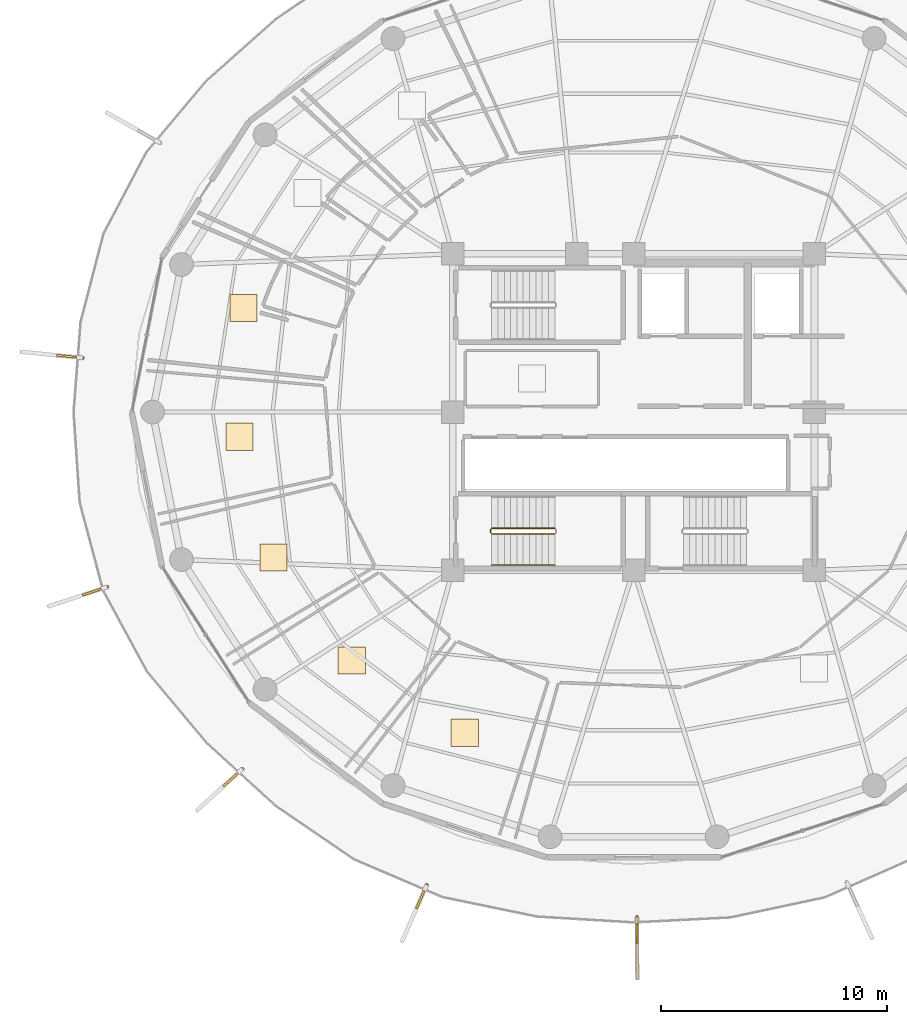
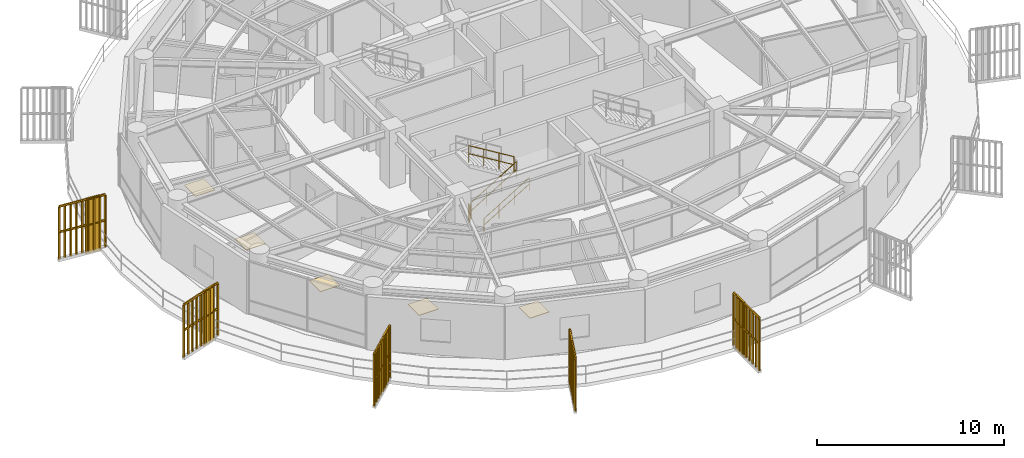
# One storey, part 28 of 31: 9 railings, 5 coverings, 5 shading devices.
"""IFC4 building model written with IfcOpenShell, lengths in metres."""

from ifc_helpers import new_model, si_unit, direction, frame, origin, origin_2d, place, context, subcontext, project, spatial, polyline, rectangle, outline, extrude, source, transform, mapped, material, layer, layer_set, type_object, element, save


model = new_model("IFC4")

# Units and contexts
model_context = context("Model", 3, precision=1e-05, world=origin(), true_north=direction((0.0, 1.0)))
body_context = subcontext(model_context, "Body", "Model", "MODEL_VIEW")
ifc_project = project(units=[si_unit("LENGTHUNIT", "METRE"), si_unit("AREAUNIT", "SQUARE_METRE"), si_unit("VOLUMEUNIT", "CUBIC_METRE"), si_unit("PLANEANGLEUNIT", "RADIAN"), si_unit("MASSUNIT", "GRAM", prefix="KILO")], contexts=[model_context])

# Site, building, storey
site_placement = place(None, origin())
site = spatial("IfcSite", under=ifc_project, at=site_placement, CompositionType="ELEMENT")
building_placement = place(site_placement, origin())
building = spatial("IfcBuilding", under=site, at=building_placement, Name="Kelanora Arch Commons", CompositionType="ELEMENT")
storey_placement = place(building_placement, frame((0.0, 0.0, 219.449951171875)))
storey = spatial("IfcBuildingStorey", under=building, at=storey_placement, Name="L56", CompositionType="ELEMENT", Elevation=219.449951171875)

# Railings
ifc_material_1 = material(Name="Anodised bronze vertical shading fin rib assembly")
railing_type_1 = type_object("IfcRailingType", Name="RAIL-FIN-BRZ", PredefinedType="BALUSTRADE", material=ifc_material_1)
railing_1_placement = place(storey_placement, frame((49.635009765625, 60.397705078125, -0.02001953125)))
element("IfcRailing", 1, at=railing_1_placement, inside=storey, type_object=railing_type_1, Name="Sweeping Bronze Vertical Fin Blade L56-09", PredefinedType="BALUSTRADE", context=body_context, shape_type="SweptSolid", body=[
    extrude(outline(polyline([(0.06982421875, 0.0), (0.034912109375, 0.060546875), (-0.034912109375, 0.060546875), (-0.06982421875, 0.0), (-0.034912109375, -0.060546875), (0.034912109375, -0.060546875), (0.06982421875, 0.0)])), frame((0.0, 0.0, 3.419921875), z_axis=(-0.995193813427, 0.097924837077, 0.0), x_axis=(-0.097924837077, -0.995193813427, 0.0)), (0.0, 0.0, 1.0), 2.7099609375),
    extrude(outline(polyline([(0.06982421875, 0.0), (0.034912109375, 0.060546875), (-0.034912109375, 0.060546875), (-0.06982421875, 0.0), (-0.034912109375, -0.060546875), (0.034912109375, -0.060546875), (0.06982421875, 0.0)])), frame((0.0, 0.0, 1.7451171875), z_axis=(-0.995193813427, 0.097924837077, 0.0), x_axis=(-0.097924837077, -0.995193813427, 0.0)), (0.0, 0.0, 1.0), 2.7099609375),
    extrude(outline(polyline([(0.080078125, 0.0), (0.0400390625, 0.0693359375), (-0.0400390625, 0.0693359375), (-0.080078125, 0.0), (-0.0400390625, -0.0693359375), (0.0400390625, -0.0693359375), (0.080078125, 0.0)])), origin(), (0.0, 0.0, 1.0), 3.35009765625),
    extrude(outline(polyline([(0.080078125, 0.0), (0.0400390625, 0.0693359375), (-0.0400390625, 0.0693359375), (-0.080078125, 0.0), (-0.0400390625, -0.0693359375), (0.0400390625, -0.0693359375), (0.080078125, 0.0)])), frame((-0.337158203125, 0.033203125, 0.0)), (0.0, 0.0, 1.0), 3.35009765625),
    extrude(outline(polyline([(0.080078125, 0.0), (0.0400390625, 0.0693359375), (-0.0400390625, 0.0693359375), (-0.080078125, 0.0), (-0.0400390625, -0.0693359375), (0.0400390625, -0.0693359375), (0.080078125, 0.0)])), frame((-0.67431640625, 0.06640625, 0.0)), (0.0, 0.0, 1.0), 3.35009765625),
    extrude(outline(polyline([(0.080078125, 0.0), (0.0400390625, 0.0693359375), (-0.0400390625, 0.0693359375), (-0.080078125, 0.0), (-0.0400390625, -0.0693359375), (0.0400390625, -0.0693359375), (0.080078125, 0.0)])), frame((-1.011474609375, 0.099609375, 0.0)), (0.0, 0.0, 1.0), 3.35009765625),
    extrude(outline(polyline([(0.080078125, 0.0), (0.0400390625, 0.0693359375), (-0.0400390625, 0.0693359375), (-0.080078125, 0.0), (-0.0400390625, -0.0693359375), (0.0400390625, -0.0693359375), (0.080078125, 0.0)])), frame((-1.3486328125, 0.1328125, 0.0)), (0.0, 0.0, 1.0), 3.35009765625),
    extrude(outline(polyline([(0.080078125, 0.0), (0.0400390625, 0.0693359375), (-0.0400390625, 0.0693359375), (-0.080078125, 0.0), (-0.0400390625, -0.0693359375), (0.0400390625, -0.0693359375), (0.080078125, 0.0)])), frame((-1.685546875, 0.165771484375, 0.0)), (0.0, 0.0, 1.0), 3.35009765625),
    extrude(outline(polyline([(0.080078125, 0.0), (0.0400390625, 0.0693359375), (-0.0400390625, 0.0693359375), (-0.080078125, 0.0), (-0.0400390625, -0.0693359375), (0.0400390625, -0.0693359375), (0.080078125, 0.0)])), frame((-2.022705078125, 0.198974609375, 0.0)), (0.0, 0.0, 1.0), 3.35009765625),
    extrude(outline(polyline([(0.080078125, 0.0), (0.0400390625, 0.0693359375), (-0.0400390625, 0.0693359375), (-0.080078125, 0.0), (-0.0400390625, -0.0693359375), (0.0400390625, -0.0693359375), (0.080078125, 0.0)])), frame((-2.35986328125, 0.232177734375, 0.0)), (0.0, 0.0, 1.0), 3.35009765625),
    extrude(outline(polyline([(0.080078125, 0.0), (0.0400390625, 0.0693359375), (-0.0400390625, 0.0693359375), (-0.080078125, 0.0), (-0.0400390625, -0.0693359375), (0.0400390625, -0.0693359375), (0.080078125, 0.0)])), frame((-2.697021484375, 0.265380859375, 0.0)), (0.0, 0.0, 1.0), 3.35009765625),
])
railing_2_placement = place(storey_placement, frame((50.72021484375, 50.264892578125, -0.02001953125)))
element("IfcRailing", 2, at=railing_2_placement, inside=storey, type_object=railing_type_1, Name="Sweeping Bronze Vertical Fin Blade L56-10", PredefinedType="BALUSTRADE", context=body_context, shape_type="SweptSolid", body=[
    extrude(outline(polyline([(0.06982421875, 0.0), (0.034912109375, 0.060546875), (-0.034912109375, 0.060546875), (-0.06982421875, 0.0), (-0.034912109375, -0.060546875), (0.034912109375, -0.060546875), (0.06982421875, 0.0)])), frame((0.0, 0.0, 3.419921875), z_axis=(-0.948980195241, -0.315335676763, 0.0), x_axis=(0.315335676763, -0.948980195241, 0.0)), (0.0, 0.0, 1.0), 2.709716796875),
    extrude(outline(polyline([(0.06982421875, 0.0), (0.034912109375, 0.060546875), (-0.034912109375, 0.060546875), (-0.06982421875, 0.0), (-0.034912109375, -0.060546875), (0.034912109375, -0.060546875), (0.06982421875, 0.0)])), frame((0.0, 0.0, 1.7451171875), z_axis=(-0.948980195241, -0.315335676763, 0.0), x_axis=(0.315335676763, -0.948980195241, 0.0)), (0.0, 0.0, 1.0), 2.709716796875),
    extrude(outline(polyline([(0.080078125, 0.0), (0.0400390625, 0.0693359375), (-0.0400390625, 0.0693359375), (-0.080078125, 0.0), (-0.0400390625, -0.0693359375), (0.0400390625, -0.0693359375), (0.080078125, 0.0)])), origin(), (0.0, 0.0, 1.0), 3.35009765625),
    extrude(outline(polyline([(0.080078125, 0.0), (0.0400390625, 0.0693359375), (-0.0400390625, 0.0693359375), (-0.080078125, 0.0), (-0.0400390625, -0.0693359375), (0.0400390625, -0.0693359375), (0.080078125, 0.0)])), frame((-0.321533203125, -0.10693359375, 0.0)), (0.0, 0.0, 1.0), 3.35009765625),
    extrude(outline(polyline([(0.080078125, 0.0), (0.0400390625, 0.0693359375), (-0.0400390625, 0.0693359375), (-0.080078125, 0.0), (-0.0400390625, -0.0693359375), (0.0400390625, -0.0693359375), (0.080078125, 0.0)])), frame((-0.642822265625, -0.213623046875, 0.0)), (0.0, 0.0, 1.0), 3.35009765625),
    extrude(outline(polyline([(0.080078125, 0.0), (0.0400390625, 0.0693359375), (-0.0400390625, 0.0693359375), (-0.080078125, 0.0), (-0.0400390625, -0.0693359375), (0.0400390625, -0.0693359375), (0.080078125, 0.0)])), frame((-0.96435546875, -0.3203125, 0.0)), (0.0, 0.0, 1.0), 3.35009765625),
    extrude(outline(polyline([(0.080078125, 0.0), (0.0400390625, 0.0693359375), (-0.0400390625, 0.0693359375), (-0.080078125, 0.0), (-0.0400390625, -0.0693359375), (0.0400390625, -0.0693359375), (0.080078125, 0.0)])), frame((-1.28564453125, -0.42724609375, 0.0)), (0.0, 0.0, 1.0), 3.35009765625),
    extrude(outline(polyline([(0.080078125, 0.0), (0.0400390625, 0.0693359375), (-0.0400390625, 0.0693359375), (-0.080078125, 0.0), (-0.0400390625, -0.0693359375), (0.0400390625, -0.0693359375), (0.080078125, 0.0)])), frame((-1.607177734375, -0.5341796875, 0.0)), (0.0, 0.0, 1.0), 3.35009765625),
    extrude(outline(polyline([(0.080078125, 0.0), (0.0400390625, 0.0693359375), (-0.0400390625, 0.0693359375), (-0.080078125, 0.0), (-0.0400390625, -0.0693359375), (0.0400390625, -0.0693359375), (0.080078125, 0.0)])), frame((-1.9287109375, -0.640869140625, 0.0)), (0.0, 0.0, 1.0), 3.35009765625),
    extrude(outline(polyline([(0.080078125, 0.0), (0.0400390625, 0.0693359375), (-0.0400390625, 0.0693359375), (-0.080078125, 0.0), (-0.0400390625, -0.0693359375), (0.0400390625, -0.0693359375), (0.080078125, 0.0)])), frame((-2.25, -0.74755859375, 0.0)), (0.0, 0.0, 1.0), 3.35009765625),
    extrude(outline(polyline([(0.080078125, 0.0), (0.0400390625, 0.0693359375), (-0.0400390625, 0.0693359375), (-0.080078125, 0.0), (-0.0400390625, -0.0693359375), (0.0400390625, -0.0693359375), (0.080078125, 0.0)])), frame((-2.571533203125, -0.8544921875, 0.0)), (0.0, 0.0, 1.0), 3.35009765625),
])
railing_3_placement = place(storey_placement, frame((56.702392578125, 42.21630859375, -0.02001953125)))
element("IfcRailing", 3, at=railing_3_placement, inside=storey, type_object=railing_type_1, Name="Sweeping Bronze Vertical Fin Blade L56-11", PredefinedType="BALUSTRADE", context=body_context, shape_type="SweptSolid", body=[
    extrude(outline(polyline([(0.06982421875, 0.0), (0.034912109375, 0.060546875), (-0.034912109375, 0.060546875), (-0.06982421875, 0.0), (-0.034912109375, -0.060546875), (0.034912109375, -0.060546875), (0.06982421875, 0.0)])), frame((0.0, 0.0, 3.419921875), z_axis=(-0.73866685925, -0.674070672144, 0.0), x_axis=(0.674070672144, -0.73866685925, 0.0)), (0.0, 0.0, 1.0), 2.7099609375),
    extrude(outline(polyline([(0.06982421875, 0.0), (0.034912109375, 0.060546875), (-0.034912109375, 0.060546875), (-0.06982421875, 0.0), (-0.034912109375, -0.060546875), (0.034912109375, -0.060546875), (0.06982421875, 0.0)])), frame((0.0, 0.0, 1.7451171875), z_axis=(-0.73866685925, -0.674070672144, 0.0), x_axis=(0.674070672144, -0.73866685925, 0.0)), (0.0, 0.0, 1.0), 2.7099609375),
    extrude(outline(polyline([(0.080078125, 0.0), (0.0400390625, 0.0693359375), (-0.0400390625, 0.0693359375), (-0.080078125, 0.0), (-0.0400390625, -0.0693359375), (0.0400390625, -0.0693359375), (0.080078125, 0.0)])), origin(), (0.0, 0.0, 1.0), 3.35009765625),
    extrude(outline(polyline([(0.080078125, 0.0), (0.0400390625, 0.0693359375), (-0.0400390625, 0.0693359375), (-0.080078125, 0.0), (-0.0400390625, -0.0693359375), (0.0400390625, -0.0693359375), (0.080078125, 0.0)])), frame((-0.250244140625, -0.228271484375, 0.0)), (0.0, 0.0, 1.0), 3.35009765625),
    extrude(outline(polyline([(0.080078125, 0.0), (0.0400390625, 0.0693359375), (-0.0400390625, 0.0693359375), (-0.080078125, 0.0), (-0.0400390625, -0.0693359375), (0.0400390625, -0.0693359375), (0.080078125, 0.0)])), frame((-0.50048828125, -0.45654296875, 0.0)), (0.0, 0.0, 1.0), 3.35009765625),
    extrude(outline(polyline([(0.080078125, 0.0), (0.0400390625, 0.0693359375), (-0.0400390625, 0.0693359375), (-0.080078125, 0.0), (-0.0400390625, -0.0693359375), (0.0400390625, -0.0693359375), (0.080078125, 0.0)])), frame((-0.750732421875, -0.68505859375, 0.0)), (0.0, 0.0, 1.0), 3.35009765625),
    extrude(outline(polyline([(0.080078125, 0.0), (0.0400390625, 0.0693359375), (-0.0400390625, 0.0693359375), (-0.080078125, 0.0), (-0.0400390625, -0.0693359375), (0.0400390625, -0.0693359375), (0.080078125, 0.0)])), frame((-1.0009765625, -0.913330078125, 0.0)), (0.0, 0.0, 1.0), 3.35009765625),
    extrude(outline(polyline([(0.080078125, 0.0), (0.0400390625, 0.0693359375), (-0.0400390625, 0.0693359375), (-0.080078125, 0.0), (-0.0400390625, -0.0693359375), (0.0400390625, -0.0693359375), (0.080078125, 0.0)])), frame((-1.2509765625, -1.1416015625, 0.0)), (0.0, 0.0, 1.0), 3.35009765625),
    extrude(outline(polyline([(0.080078125, 0.0), (0.0400390625, 0.0693359375), (-0.0400390625, 0.0693359375), (-0.080078125, 0.0), (-0.0400390625, -0.0693359375), (0.0400390625, -0.0693359375), (0.080078125, 0.0)])), frame((-1.501220703125, -1.3701171875, 0.0)), (0.0, 0.0, 1.0), 3.35009765625),
    extrude(outline(polyline([(0.080078125, 0.0), (0.0400390625, 0.0693359375), (-0.0400390625, 0.0693359375), (-0.080078125, 0.0), (-0.0400390625, -0.0693359375), (0.0400390625, -0.0693359375), (0.080078125, 0.0)])), frame((-1.75146484375, -1.598388671875, 0.0)), (0.0, 0.0, 1.0), 3.35009765625),
    extrude(outline(polyline([(0.080078125, 0.0), (0.0400390625, 0.0693359375), (-0.0400390625, 0.0693359375), (-0.080078125, 0.0), (-0.0400390625, -0.0693359375), (0.0400390625, -0.0693359375), (0.080078125, 0.0)])), frame((-2.001708984375, -1.82666015625, 0.0)), (0.0, 0.0, 1.0), 3.35009765625),
])
railing_4_placement = place(storey_placement, frame((64.852783203125, 37.082763671875, -0.02001953125)))
element("IfcRailing", 4, at=railing_4_placement, inside=storey, type_object=railing_type_1, Name="Sweeping Bronze Vertical Fin Blade L56-12", PredefinedType="BALUSTRADE", context=body_context, shape_type="SweptSolid", body=[
    extrude(outline(polyline([(0.06982421875, 0.0), (0.034912109375, 0.060546875), (-0.034912109375, 0.060546875), (-0.06982421875, 0.0), (-0.034912109375, -0.060546875), (0.034912109375, -0.060546875), (0.06982421875, 0.0)])), frame((0.0, 0.0, 3.419921875), z_axis=(-0.400639233037, -0.91623588936, 0.0), x_axis=(0.91623588936, -0.400639233037, 0.0)), (0.0, 0.0, 1.0), 2.7099609375),
    extrude(outline(polyline([(0.06982421875, 0.0), (0.034912109375, 0.060546875), (-0.034912109375, 0.060546875), (-0.06982421875, 0.0), (-0.034912109375, -0.060546875), (0.034912109375, -0.060546875), (0.06982421875, 0.0)])), frame((0.0, 0.0, 1.7451171875), z_axis=(-0.400639233037, -0.91623588936, 0.0), x_axis=(0.91623588936, -0.400639233037, 0.0)), (0.0, 0.0, 1.0), 2.7099609375),
    extrude(outline(polyline([(0.080078125, 0.0), (0.0400390625, 0.0693359375), (-0.0400390625, 0.0693359375), (-0.080078125, 0.0), (-0.0400390625, -0.0693359375), (0.0400390625, -0.0693359375), (0.080078125, 0.0)])), origin(), (0.0, 0.0, 1.0), 3.35009765625),
    extrude(outline(polyline([(0.080078125, 0.0), (0.0400390625, 0.0693359375), (-0.0400390625, 0.0693359375), (-0.080078125, 0.0), (-0.0400390625, -0.0693359375), (0.0400390625, -0.0693359375), (0.080078125, 0.0)])), frame((-0.1357421875, -0.310302734375, 0.0)), (0.0, 0.0, 1.0), 3.35009765625),
    extrude(outline(polyline([(0.080078125, 0.0), (0.0400390625, 0.0693359375), (-0.0400390625, 0.0693359375), (-0.080078125, 0.0), (-0.0400390625, -0.0693359375), (0.0400390625, -0.0693359375), (0.080078125, 0.0)])), frame((-0.271484375, -0.62060546875, 0.0)), (0.0, 0.0, 1.0), 3.35009765625),
    extrude(outline(polyline([(0.080078125, 0.0), (0.0400390625, 0.0693359375), (-0.0400390625, 0.0693359375), (-0.080078125, 0.0), (-0.0400390625, -0.0693359375), (0.0400390625, -0.0693359375), (0.080078125, 0.0)])), frame((-0.4072265625, -0.93115234375, 0.0)), (0.0, 0.0, 1.0), 3.35009765625),
    extrude(outline(polyline([(0.080078125, 0.0), (0.0400390625, 0.0693359375), (-0.0400390625, 0.0693359375), (-0.080078125, 0.0), (-0.0400390625, -0.0693359375), (0.0400390625, -0.0693359375), (0.080078125, 0.0)])), frame((-0.54296875, -1.241455078125, 0.0)), (0.0, 0.0, 1.0), 3.35009765625),
    extrude(outline(polyline([(0.080078125, 0.0), (0.0400390625, 0.0693359375), (-0.0400390625, 0.0693359375), (-0.080078125, 0.0), (-0.0400390625, -0.0693359375), (0.0400390625, -0.0693359375), (0.080078125, 0.0)])), frame((-0.678466796875, -1.5517578125, 0.0)), (0.0, 0.0, 1.0), 3.35009765625),
    extrude(outline(polyline([(0.080078125, 0.0), (0.0400390625, 0.0693359375), (-0.0400390625, 0.0693359375), (-0.080078125, 0.0), (-0.0400390625, -0.0693359375), (0.0400390625, -0.0693359375), (0.080078125, 0.0)])), frame((-0.814208984375, -1.8623046875, 0.0)), (0.0, 0.0, 1.0), 3.35009765625),
    extrude(outline(polyline([(0.080078125, 0.0), (0.0400390625, 0.0693359375), (-0.0400390625, 0.0693359375), (-0.080078125, 0.0), (-0.0400390625, -0.0693359375), (0.0400390625, -0.0693359375), (0.080078125, 0.0)])), frame((-0.949951171875, -2.172607421875, 0.0)), (0.0, 0.0, 1.0), 3.35009765625),
    extrude(outline(polyline([(0.080078125, 0.0), (0.0400390625, 0.0693359375), (-0.0400390625, 0.0693359375), (-0.080078125, 0.0), (-0.0400390625, -0.0693359375), (0.0400390625, -0.0693359375), (0.080078125, 0.0)])), frame((-1.085693359375, -2.48291015625, 0.0)), (0.0, 0.0, 1.0), 3.35009765625),
])
railing_5_placement = place(storey_placement, frame((74.148193359375, 35.655517578125, -0.02001953125)))
element("IfcRailing", 5, at=railing_5_placement, inside=storey, type_object=railing_type_1, Name="Sweeping Bronze Vertical Fin Blade L56-13", PredefinedType="BALUSTRADE", context=body_context, shape_type="SweptSolid", body=[
    extrude(outline(polyline([(0.06982421875, 0.0), (0.034912109375, 0.060546875), (-0.034912109375, 0.060546875), (-0.06982421875, 0.0), (-0.034912109375, -0.060546875), (0.034912109375, -0.060546875), (0.06982421875, 0.0)])), frame((0.0, 0.0, 3.419921875), z_axis=(0.006666518523, -0.999977778518, 0.0), x_axis=(0.999977778518, 0.006666518523, 0.0)), (0.0, 0.0, 1.0), 2.7099609375),
    extrude(outline(polyline([(0.06982421875, 0.0), (0.034912109375, 0.060546875), (-0.034912109375, 0.060546875), (-0.06982421875, 0.0), (-0.034912109375, -0.060546875), (0.034912109375, -0.060546875), (0.06982421875, 0.0)])), frame((0.0, 0.0, 1.7451171875), z_axis=(0.006666518523, -0.999977778518, 0.0), x_axis=(0.999977778518, 0.006666518523, 0.0)), (0.0, 0.0, 1.0), 2.7099609375),
    extrude(outline(polyline([(0.080078125, 0.0), (0.0400390625, 0.0693359375), (-0.0400390625, 0.0693359375), (-0.080078125, 0.0), (-0.0400390625, -0.0693359375), (0.0400390625, -0.0693359375), (0.080078125, 0.0)])), origin(), (0.0, 0.0, 1.0), 3.35009765625),
    extrude(outline(polyline([(0.080078125, 0.0), (0.0400390625, 0.0693359375), (-0.0400390625, 0.0693359375), (-0.080078125, 0.0), (-0.0400390625, -0.0693359375), (0.0400390625, -0.0693359375), (0.080078125, 0.0)])), frame((0.002197265625, -0.3388671875, 0.0)), (0.0, 0.0, 1.0), 3.35009765625),
    extrude(outline(polyline([(0.080078125, 0.0), (0.0400390625, 0.0693359375), (-0.0400390625, 0.0693359375), (-0.080078125, 0.0), (-0.0400390625, -0.0693359375), (0.0400390625, -0.0693359375), (0.080078125, 0.0)])), frame((0.00439453125, -0.677490234375, 0.0)), (0.0, 0.0, 1.0), 3.35009765625),
    extrude(outline(polyline([(0.080078125, 0.0), (0.0400390625, 0.0693359375), (-0.0400390625, 0.0693359375), (-0.080078125, 0.0), (-0.0400390625, -0.0693359375), (0.0400390625, -0.0693359375), (0.080078125, 0.0)])), frame((0.0068359375, -1.01611328125, 0.0)), (0.0, 0.0, 1.0), 3.35009765625),
    extrude(outline(polyline([(0.080078125, 0.0), (0.0400390625, 0.0693359375), (-0.0400390625, 0.0693359375), (-0.080078125, 0.0), (-0.0400390625, -0.0693359375), (0.0400390625, -0.0693359375), (0.080078125, 0.0)])), frame((0.009033203125, -1.35498046875, 0.0)), (0.0, 0.0, 1.0), 3.35009765625),
    extrude(outline(polyline([(0.080078125, 0.0), (0.0400390625, 0.0693359375), (-0.0400390625, 0.0693359375), (-0.080078125, 0.0), (-0.0400390625, -0.0693359375), (0.0400390625, -0.0693359375), (0.080078125, 0.0)])), frame((0.01123046875, -1.69384765625, 0.0)), (0.0, 0.0, 1.0), 3.35009765625),
    extrude(outline(polyline([(0.080078125, 0.0), (0.0400390625, 0.0693359375), (-0.0400390625, 0.0693359375), (-0.080078125, 0.0), (-0.0400390625, -0.0693359375), (0.0400390625, -0.0693359375), (0.080078125, 0.0)])), frame((0.013671875, -2.032470703125, 0.0)), (0.0, 0.0, 1.0), 3.35009765625),
    extrude(outline(polyline([(0.080078125, 0.0), (0.0400390625, 0.0693359375), (-0.0400390625, 0.0693359375), (-0.080078125, 0.0), (-0.0400390625, -0.0693359375), (0.0400390625, -0.0693359375), (0.080078125, 0.0)])), frame((0.015869140625, -2.37109375, 0.0)), (0.0, 0.0, 1.0), 3.35009765625),
    extrude(outline(polyline([(0.080078125, 0.0), (0.0400390625, 0.0693359375), (-0.0400390625, 0.0693359375), (-0.080078125, 0.0), (-0.0400390625, -0.0693359375), (0.0400390625, -0.0693359375), (0.080078125, 0.0)])), frame((0.01806640625, -2.7099609375, 0.0)), (0.0, 0.0, 1.0), 3.35009765625),
])
ifc_material_2 = material(Name="Painted steel stair well guard", Category="steel")
railing_type_2 = type_object("IfcRailingType", Name="RAIL-STAIR-GRD", PredefinedType="GUARDRAIL", material=ifc_material_2)
railing_6_placement = place(storey_placement, frame((67.719970703125, 52.610107421875, 0.17041015625)))
element("IfcRailing", 6, at=railing_6_placement, inside=storey, type_object=railing_type_2, Name="L56 ST-T3 stair guard 1", PredefinedType="GUARDRAIL", context=body_context, shape_type="SweptSolid", body=[
    extrude(outline(polyline([(0.02392578125, 0.0), (0.011962890625, 0.020751953125), (-0.011962890625, 0.020751953125), (-0.02392578125, 0.0), (-0.011962890625, -0.020751953125), (0.011962890625, -0.020751953125), (0.02392578125, 0.0)])), frame((0.0, 0.0, 1.076171875), z_axis=(0.854169791009, 0.0, 0.51999420009), x_axis=(0.0, 1.0, 0.0)), (0.0, 0.0, 1.0), 3.278076171875),
    extrude(outline(polyline([(0.02392578125, 0.0), (0.011962890625, 0.020751953125), (-0.011962890625, 0.020751953125), (-0.02392578125, 0.0), (-0.011962890625, -0.020751953125), (0.011962890625, -0.020751953125), (0.02392578125, 0.0)])), frame((0.0, 0.0, 0.550048828125), z_axis=(0.854169791009, 0.0, 0.51999420009), x_axis=(0.0, 1.0, 0.0)), (0.0, 0.0, 1.0), 3.278076171875),
    extrude(outline(polyline([(0.02099609375, 0.0), (0.010498046875, 0.01806640625), (-0.010498046875, 0.01806640625), (-0.02099609375, 0.0), (-0.010498046875, -0.01806640625), (0.010498046875, -0.01806640625), (0.02099609375, 0.0)])), origin(), (0.0, 0.0, 1.0), 1.052001953125),
    extrude(outline(polyline([(0.02099609375, 0.0), (0.010498046875, 0.01806640625), (-0.010498046875, 0.01806640625), (-0.02099609375, 0.0), (-0.010498046875, -0.01806640625), (0.010498046875, -0.01806640625), (0.02099609375, 0.0)])), frame((0.933349609375, 0.0, 0.568115234375)), (0.0, 0.0, 1.0), 1.052001953125),
    extrude(outline(polyline([(0.02099609375, 0.0), (0.010498046875, 0.01806640625), (-0.010498046875, 0.01806640625), (-0.02099609375, 0.0), (-0.010498046875, -0.01806640625), (0.010498046875, -0.01806640625), (0.02099609375, 0.0)])), frame((1.86669921875, 0.0, 1.136474609375)), (0.0, 0.0, 1.0), 1.052001953125),
    extrude(outline(polyline([(0.02099609375, 0.0), (0.010498046875, 0.01806640625), (-0.010498046875, 0.01806640625), (-0.02099609375, 0.0), (-0.010498046875, -0.01806640625), (0.010498046875, -0.01806640625), (0.02099609375, 0.0)])), frame((2.800048828125, 0.0, 1.70458984375)), (0.0, 0.0, 1.0), 1.052001953125),
])
railing_7_placement = place(storey_placement, frame((70.52001953125, 52.860107421875, 2.04541015625)))
element("IfcRailing", 7, at=railing_7_placement, inside=storey, type_object=railing_type_2, Name="L56 ST-T3 stair guard 3", PredefinedType="GUARDRAIL", context=body_context, shape_type="SweptSolid", body=[
    extrude(outline(polyline([(0.02392578125, 0.0), (0.011962890625, 0.020751953125), (-0.011962890625, 0.020751953125), (-0.02392578125, 0.0), (-0.011962890625, -0.020751953125), (0.011962890625, -0.020751953125), (0.02392578125, 0.0)])), frame((0.0, 0.0, 1.076171875), z_axis=(-0.854169791009, 0.0, 0.51999420009), x_axis=(0.0, -1.0, 0.0)), (0.0, 0.0, 1.0), 3.278076171875),
    extrude(outline(polyline([(0.02392578125, 0.0), (0.011962890625, 0.020751953125), (-0.011962890625, 0.020751953125), (-0.02392578125, 0.0), (-0.011962890625, -0.020751953125), (0.011962890625, -0.020751953125), (0.02392578125, 0.0)])), frame((0.0, 0.0, 0.550048828125), z_axis=(-0.854169791009, 0.0, 0.51999420009), x_axis=(0.0, -1.0, 0.0)), (0.0, 0.0, 1.0), 3.278076171875),
    extrude(outline(polyline([(0.02099609375, 0.0), (0.010498046875, 0.01806640625), (-0.010498046875, 0.01806640625), (-0.02099609375, 0.0), (-0.010498046875, -0.01806640625), (0.010498046875, -0.01806640625), (0.02099609375, 0.0)])), origin(), (0.0, 0.0, 1.0), 1.052001953125),
    extrude(outline(polyline([(0.02099609375, 0.0), (0.010498046875, 0.01806640625), (-0.010498046875, 0.01806640625), (-0.02099609375, 0.0), (-0.010498046875, -0.01806640625), (0.010498046875, -0.01806640625), (0.02099609375, 0.0)])), frame((-0.933349609375, 0.0, 0.568115234375)), (0.0, 0.0, 1.0), 1.052001953125),
    extrude(outline(polyline([(0.02099609375, 0.0), (0.010498046875, 0.01806640625), (-0.010498046875, 0.01806640625), (-0.02099609375, 0.0), (-0.010498046875, -0.01806640625), (0.010498046875, -0.01806640625), (0.02099609375, 0.0)])), frame((-1.86669921875, 0.0, 1.136474609375)), (0.0, 0.0, 1.0), 1.052001953125),
    extrude(outline(polyline([(0.02099609375, 0.0), (0.010498046875, 0.01806640625), (-0.010498046875, 0.01806640625), (-0.02099609375, 0.0), (-0.010498046875, -0.01806640625), (0.010498046875, -0.01806640625), (0.02099609375, 0.0)])), frame((-2.800048828125, 0.0, 1.70458984375)), (0.0, 0.0, 1.0), 1.052001953125),
])
railing_8_placement = place(storey_placement, frame((67.669921875, 52.659912109375, 0.0)))
element("IfcRailing", 8, at=railing_8_placement, inside=storey, type_object=railing_type_2, Name="L56 ST-T3 stair guard 4", PredefinedType="GUARDRAIL", context=body_context, shape_type="SweptSolid", body=[
    extrude(outline(polyline([(0.02392578125, 0.0), (0.011962890625, 0.020751953125), (-0.011962890625, 0.020751953125), (-0.02392578125, 0.0), (-0.011962890625, -0.020751953125), (0.011962890625, -0.020751953125), (0.02392578125, 0.0)])), frame((0.0, 0.0, 1.076171875), z_axis=(0.0, 1.0, 0.0), x_axis=(-1.0, 0.0, 0.0)), (0.0, 0.0, 1.0), 0.150146484375),
    extrude(outline(polyline([(0.02392578125, 0.0), (0.011962890625, 0.020751953125), (-0.011962890625, 0.020751953125), (-0.02392578125, 0.0), (-0.011962890625, -0.020751953125), (0.011962890625, -0.020751953125), (0.02392578125, 0.0)])), frame((0.0, 0.0, 0.550048828125), z_axis=(0.0, 1.0, 0.0), x_axis=(-1.0, 0.0, 0.0)), (0.0, 0.0, 1.0), 0.150146484375),
    extrude(outline(polyline([(0.02099609375, 0.0), (0.010498046875, 0.01806640625), (-0.010498046875, 0.01806640625), (-0.02099609375, 0.0), (-0.010498046875, -0.01806640625), (0.010498046875, -0.01806640625), (0.02099609375, 0.0)])), origin(), (0.0, 0.0, 1.0), 1.052001953125),
    extrude(outline(polyline([(0.02099609375, 0.0), (0.010498046875, 0.01806640625), (-0.010498046875, 0.01806640625), (-0.02099609375, 0.0), (-0.010498046875, -0.01806640625), (0.010498046875, -0.01806640625), (0.02099609375, 0.0)])), frame((0.0, 0.150146484375, 0.0)), (0.0, 0.0, 1.0), 1.052001953125),
])
ifc_material_3 = material(Name="Brushed stainless steel stair handrail", Category="steel")
railing_type_3 = type_object("IfcRailingType", Name="RAIL-STAIR-HND", PredefinedType="HANDRAIL", material=ifc_material_3)
railing_9_placement = place(storey_placement, frame((67.719970703125, 51.22998046875, 0.17041015625)))
element("IfcRailing", 9, at=railing_9_placement, inside=storey, type_object=railing_type_3, Name="L56 ST-T3 stair handrail 1", PredefinedType="HANDRAIL", context=body_context, shape_type="SweptSolid", body=[
    extrude(outline(polyline([(0.02392578125, 0.0), (0.011962890625, 0.020751953125), (-0.011962890625, 0.020751953125), (-0.02392578125, 0.0), (-0.011962890625, -0.020751953125), (0.011962890625, -0.020751953125), (0.02392578125, 0.0)])), frame((0.0, 0.0, 0.8759765625), z_axis=(0.854169791009, 0.0, 0.51999420009), x_axis=(0.0, 1.0, 0.0)), (0.0, 0.0, 1.0), 3.278076171875),
    extrude(outline(polyline([(0.02392578125, 0.0), (0.011962890625, 0.020751953125), (-0.011962890625, 0.020751953125), (-0.02392578125, 0.0), (-0.011962890625, -0.020751953125), (0.011962890625, -0.020751953125), (0.02392578125, 0.0)])), frame((0.0, 0.0, 0.449951171875), z_axis=(0.854169791009, 0.0, 0.51999420009), x_axis=(0.0, 1.0, 0.0)), (0.0, 0.0, 1.0), 3.278076171875),
    extrude(outline(polyline([(0.02099609375, 0.0), (0.010498046875, 0.01806640625), (-0.010498046875, 0.01806640625), (-0.02099609375, 0.0), (-0.010498046875, -0.01806640625), (0.010498046875, -0.01806640625), (0.02099609375, 0.0)])), origin(), (0.0, 0.0, 1.0), 0.851806640625),
    extrude(outline(polyline([(0.02099609375, 0.0), (0.010498046875, 0.01806640625), (-0.010498046875, 0.01806640625), (-0.02099609375, 0.0), (-0.010498046875, -0.01806640625), (0.010498046875, -0.01806640625), (0.02099609375, 0.0)])), frame((0.933349609375, 0.0, 0.568115234375)), (0.0, 0.0, 1.0), 0.851806640625),
    extrude(outline(polyline([(0.02099609375, 0.0), (0.010498046875, 0.01806640625), (-0.010498046875, 0.01806640625), (-0.02099609375, 0.0), (-0.010498046875, -0.01806640625), (0.010498046875, -0.01806640625), (0.02099609375, 0.0)])), frame((1.86669921875, 0.0, 1.136474609375)), (0.0, 0.0, 1.0), 0.851806640625),
    extrude(outline(polyline([(0.02099609375, 0.0), (0.010498046875, 0.01806640625), (-0.010498046875, 0.01806640625), (-0.02099609375, 0.0), (-0.010498046875, -0.01806640625), (0.010498046875, -0.01806640625), (0.02099609375, 0.0)])), frame((2.800048828125, 0.0, 1.70458984375)), (0.0, 0.0, 1.0), 0.851806640625),
])

# Shading devices
ifc_material_4 = material(Name="Terracotta ceramic-clad extruded aluminium fin", Category="masonry")
shading_device_type = type_object("IfcShadingDeviceType", Name="SHD-FIN-FLARE", PredefinedType="USERDEFINED", material=ifc_material_4)
shared_shape_1 = source(origin(), body_context, "Body", "SweptSolid", [
    extrude(rectangle(XDim=0.8798828125, YDim=0.090087890625, at=origin_2d()), origin(), (0.0, 0.0, 1.0), 3.610107421875),
])
for number, where, z_axis, x_axis, name in (
    (10, (48.91845703125, 60.468017578125, -0.14013671875), (0.0, 0.0, 1.0), (-0.995193276492, 0.097930293706, 0.0), "Sweeping Terracotta Fin L56-09"),
    (11, (50.037109375, 50.037841796875, -0.14013671875), (0.0, 0.0, 1.0), (-0.948986136133, -0.315317797511, 0.0), "Sweeping Terracotta Fin L56-10"),
    (12, (56.170654296875, 41.73095703125, -0.14013671875), (0.0, 0.0, 1.0), (-0.738690671568, -0.674044576967, 0.0), "Sweeping Terracotta Fin L56-11"),
    (13, (64.564208984375, 36.423095703125, -0.14013671875), (0.0, 0.0, 1.0), (-0.400668879095, -0.916222925562, 0.0), "Sweeping Terracotta Fin L56-12"),
    (14, (74.153076171875, 34.935302734375, -0.14013671875), (0.0, 0.0, 1.0), (0.006632202536, -0.999978006703, 0.0), "Sweeping Terracotta Fin L56-13"),
):
    element("IfcShadingDevice", number, at=place(storey_placement, frame(where, z_axis=z_axis, x_axis=x_axis)), inside=storey, type_object=shading_device_type, Name=name, ObjectType="FIN", PredefinedType="USERDEFINED", context=body_context, shape_type="MappedRepresentation", body=[
        mapped(shared_shape_1, transform((0.0, 0.0, 0.0), scale=1.0)),
    ])

# Coverings
ifc_material_5 = material(Name="Polished local granite terrazzo flooring", Category="masonry")
ifc_layer = layer(ifc_material_5, 0.030029296875)
ifc_layer_set = layer_set([ifc_layer], Name="Polished local granite terrazzo flooring")
covering_type = type_object("IfcCoveringType", Name="COV-FLR-TER", PredefinedType="FLOORING", material=ifc_layer_set)
shared_shape_2 = source(origin(), body_context, "Body", "SweptSolid", [
    extrude(rectangle(XDim=1.199951171875, YDim=1.199951171875, at=origin_2d()), origin(), (0.0, 0.0, 1.0), 0.030029296875),
])
for number, where, z_axis, x_axis, name in (
    (15, (56.74169921875, 62.6103515625, 0.0), (0.0, 0.0, 1.0), (1.0, 0.0, 0.0), "Cluster Bedroom L56-03 Terrazzo Finish"),
    (16, (56.575927734375, 56.905517578125, 0.0), (0.0, 0.0, 1.0), (1.0, 0.0, 0.0), "Shared Cluster Kitchen L56-04 Terrazzo Finish"),
    (17, (58.072021484375, 51.560791015625, 0.0), (0.0, 0.0, 1.0), (1.0, 0.0, 0.0), "Social Sky Lounge L56-05 Terrazzo Finish"),
    (18, (61.53271484375, 47.010498046875, 0.0), (0.0, 0.0, 1.0), (1.0, 0.0, 0.0), "Quiet Seminar Study Room L56-06 Terrazzo Finish"),
    (19, (66.53173828125, 43.81591796875, 0.0), (0.0, 0.0, 1.0), (1.0, 0.0, 0.0), "Quiet Seminar Study Room L56-07 Terrazzo Finish"),
):
    element("IfcCovering", number, at=place(storey_placement, frame(where, z_axis=z_axis, x_axis=x_axis)), inside=storey, type_object=covering_type, Name=name, PredefinedType="FLOORING", context=body_context, shape_type="MappedRepresentation", body=[
        mapped(shared_shape_2, transform((0.0, 0.0, 0.0), scale=1.0)),
    ])

save(model, "model.ifc")
